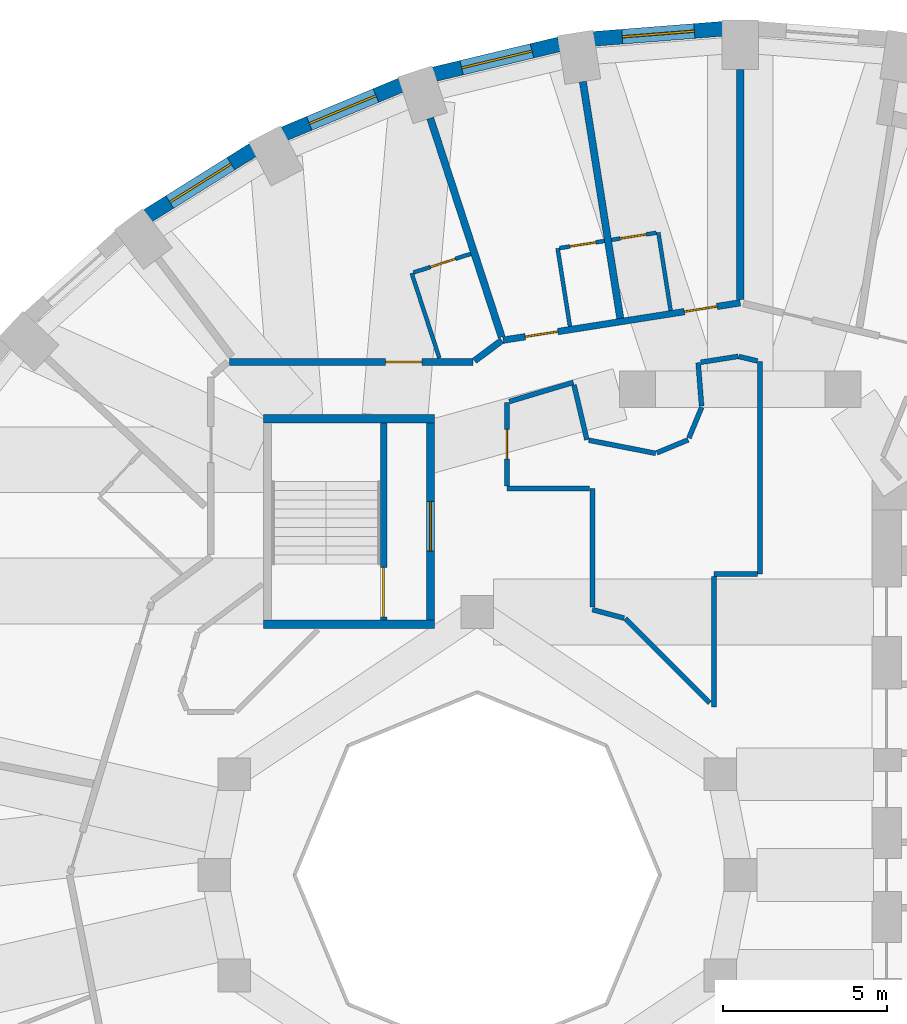
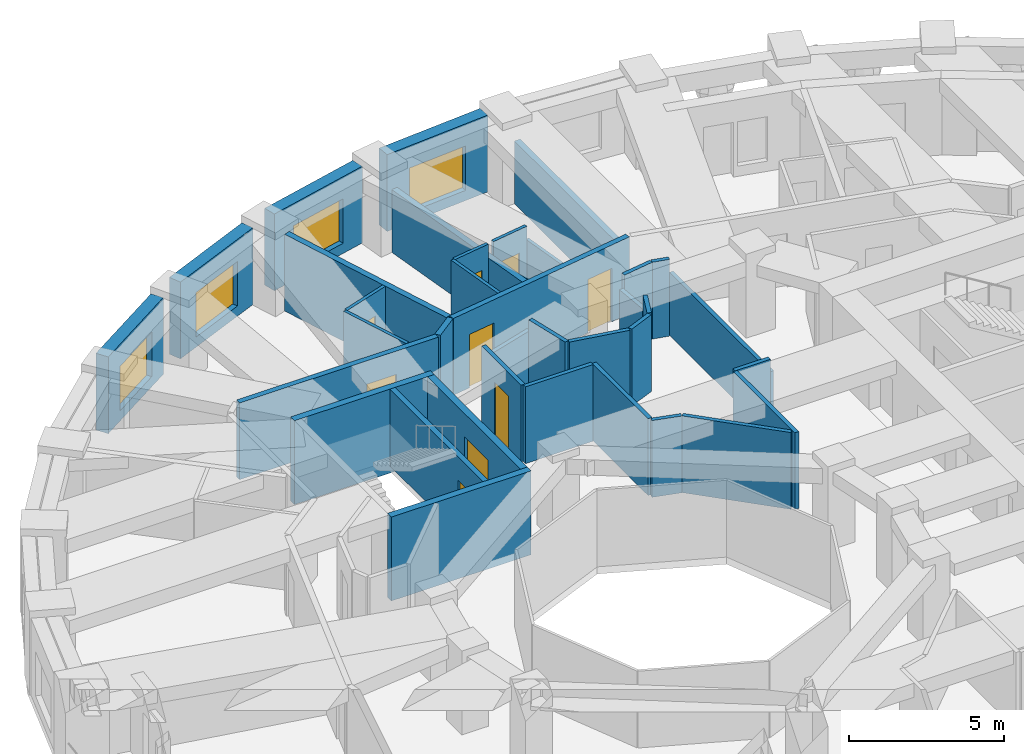
# One storey, part 8 of 14: 36 walls, 9 doors, 4 windows, 13 openings.
"""IFC4 building model written with IfcOpenShell, lengths in metres."""

from ifc_helpers import new_model, si_unit, direction, frame, frame_2d, origin, place, context, subcontext, project, spatial, rectangle, extrude, material, layer, layer_set, type_object, element, fill, save


model = new_model("IFC4")

# Units and contexts
model_context = context("Model", 3, precision=1e-05, world=origin(), true_north=direction((0.0, 1.0)))
body_context = subcontext(model_context, "Body", "Model", "MODEL_VIEW")
ifc_project = project(units=[si_unit("LENGTHUNIT", "METRE"), si_unit("AREAUNIT", "SQUARE_METRE"), si_unit("VOLUMEUNIT", "CUBIC_METRE"), si_unit("PLANEANGLEUNIT", "RADIAN"), si_unit("MASSUNIT", "GRAM", prefix="KILO")], contexts=[model_context])

# Site, building, storey
site_placement = place(None, origin())
site = spatial("IfcSite", under=ifc_project, at=site_placement, CompositionType="ELEMENT")
building_placement = place(site_placement, origin())
building = spatial("IfcBuilding", under=site, at=building_placement, Name="Taillehof Tower", CompositionType="ELEMENT")
storey_placement = place(building_placement, frame((0.0, 0.0, 28.300048828125)))
storey = spatial("IfcBuildingStorey", under=building, at=storey_placement, Name="L06", CompositionType="ELEMENT", Elevation=28.300048828125)

# Wall, opening, window
ifc_material_1 = material(Name="Brick masonry", Category="masonry")
ifc_layer_1 = layer(ifc_material_1, 0.449951171875)
ifc_layer_set_1 = layer_set([ifc_layer_1], Name="Brick infill wall 450")
wall_type_1 = type_object("IfcWallType", Name="Brick infill wall 450", PredefinedType="SOLIDWALL", material=ifc_layer_set_1)
wall_1_placement = place(storey_placement, frame((-0.530029296875, 25.73291015625, 0.0), z_axis=(0.0, 0.0, 1.0), x_axis=(-0.996955972145, -0.077966592873, 0.0)))
wall_1 = element("IfcWall", 1, at=wall_1_placement, inside=storey, type_object=wall_type_1, Name="Brick wall L06 bay 10", PredefinedType="SOLIDWALL", context=body_context, shape_type="SweptSolid", body=[
    extrude(rectangle(XDim=3.939208984375, YDim=0.449951171875, at=frame_2d((1.9697265625, 0.0))), origin(), (0.0, 0.0, 1.0), 3.02001953125),
])
opening_1_placement = place(wall_1_placement, frame((0.86962890625, 0.0, 0.39990234375)))
opening_1 = element("IfcOpeningElement", 2, at=opening_1_placement, cuts=wall_1, Name="Opening W1", PredefinedType="OPENING", context=body_context, shape_type="SweptSolid", body=[
    extrude(rectangle(XDim=2.199951171875, YDim=1.75, at=frame_2d((1.10009765625, 0.875))), frame((0.0, 0.23486328125, 0.0), z_axis=(0.0, -1.0, 0.0), x_axis=(1.0, 0.0, 0.0)), (0.0, 0.0, 1.0), 0.469970703125),
])
ifc_material_2 = material(Name="Aluminium window frame with clear double glazing", Category="aluminium")
window_type = type_object("IfcWindowType", Name="Deep-set window 2200x1750", PartitioningType="SINGLE_PANEL", PredefinedType="WINDOW", material=ifc_material_2)
window_1_placement = place(opening_1_placement, origin())
window_1 = element("IfcWindow", 3, at=window_1_placement, inside=storey, type_object=window_type, Name="W1", OverallHeight=1.75, OverallWidth=2.199951171875, PartitioningType="SINGLE_PANEL", PredefinedType="WINDOW", context=body_context, shape_type="SweptSolid", body=[
    extrude(rectangle(XDim=2.199951171875, YDim=1.75, at=frame_2d((1.10009765625, 0.875))), frame((0.0, 0.034912109375, 0.0), z_axis=(0.0, -1.0, 0.0), x_axis=(1.0, 0.0, 0.0)), (0.0, 0.0, 1.0), 0.06005859375),
])
fill(opening_1, window_1)

wall_2_placement = place(storey_placement, frame((-5.50439453125, 25.260498046875, 0.0), z_axis=(0.0, 0.0, 1.0), x_axis=(-0.972496561493, -0.232917233979, 0.0)))
wall_2 = element("IfcWall", 4, at=wall_2_placement, inside=storey, type_object=wall_type_1, Name="Brick wall L06 bay 11", PredefinedType="SOLIDWALL", context=body_context, shape_type="SweptSolid", body=[
    extrude(rectangle(XDim=3.910888671875, YDim=0.449951171875, at=frame_2d((1.95556640625, 0.0))), origin(), (0.0, 0.0, 1.0), 3.02001953125),
])
opening_2_placement = place(wall_2_placement, frame((0.855224609375, 0.0, 0.39990234375)))
opening_2 = element("IfcOpeningElement", 5, at=opening_2_placement, cuts=wall_2, Name="Opening W1", PredefinedType="OPENING", context=body_context, shape_type="SweptSolid", body=[
    extrude(rectangle(XDim=2.199951171875, YDim=1.75, at=frame_2d((1.10009765625, 0.875))), frame((0.0, 0.23486328125, 0.0), z_axis=(0.0, -1.0, 0.0), x_axis=(1.0, 0.0, 0.0)), (0.0, 0.0, 1.0), 0.469970703125),
])
window_2_placement = place(opening_2_placement, origin())
window_2 = element("IfcWindow", 6, at=window_2_placement, inside=storey, type_object=window_type, Name="W1", OverallHeight=1.75, OverallWidth=2.199951171875, PartitioningType="SINGLE_PANEL", PredefinedType="WINDOW", context=body_context, shape_type="SweptSolid", body=[
    extrude(rectangle(XDim=2.199951171875, YDim=1.75, at=frame_2d((1.10009765625, 0.875))), frame((0.0, 0.034912109375, 0.0), z_axis=(0.0, -1.0, 0.0), x_axis=(1.0, 0.0, 0.0)), (0.0, 0.0, 1.0), 0.06005859375),
])
fill(opening_2, window_2)

wall_3_placement = place(storey_placement, frame((-10.3154296875, 24.02099609375, 0.0), z_axis=(0.0, 0.0, 1.0), x_axis=(-0.923031964282, -0.384723267966, 0.0)))
wall_3 = element("IfcWall", 7, at=wall_3_placement, inside=storey, type_object=wall_type_1, Name="Brick wall L06 bay 12", PredefinedType="SOLIDWALL", context=body_context, shape_type="SweptSolid", body=[
    extrude(rectangle(XDim=3.8564453125, YDim=0.449951171875, at=frame_2d((1.92822265625, 0.0))), origin(), (0.0, 0.0, 1.0), 3.02001953125),
])
opening_3_placement = place(wall_3_placement, frame((0.828125, 0.0, 0.39990234375)))
opening_3 = element("IfcOpeningElement", 8, at=opening_3_placement, cuts=wall_3, Name="Opening W1", PredefinedType="OPENING", context=body_context, shape_type="SweptSolid", body=[
    extrude(rectangle(XDim=2.199951171875, YDim=1.75, at=frame_2d((1.10009765625, 0.875))), frame((0.0, 0.23486328125, 0.0), z_axis=(0.0, -1.0, 0.0), x_axis=(1.0, 0.0, 0.0)), (0.0, 0.0, 1.0), 0.469970703125),
])
window_3_placement = place(opening_3_placement, origin())
window_3 = element("IfcWindow", 9, at=window_3_placement, inside=storey, type_object=window_type, Name="W1", OverallHeight=1.75, OverallWidth=2.199951171875, PartitioningType="SINGLE_PANEL", PredefinedType="WINDOW", context=body_context, shape_type="SweptSolid", body=[
    extrude(rectangle(XDim=2.199951171875, YDim=1.75, at=frame_2d((1.10009765625, 0.875))), frame((0.0, 0.034912109375, 0.0), z_axis=(0.0, -1.0, 0.0), x_axis=(1.0, 0.0, 0.0)), (0.0, 0.0, 1.0), 0.06005859375),
])
fill(opening_3, window_3)

wall_4_placement = place(storey_placement, frame((-14.81689453125, 22.050537109375, 0.0), z_axis=(0.0, 0.0, 1.0), x_axis=(-0.847635480093, -0.530579016629, 0.0)))
wall_4 = element("IfcWall", 10, at=wall_4_placement, inside=storey, type_object=wall_type_1, Name="Brick wall L06 bay 13", PredefinedType="SOLIDWALL", context=body_context, shape_type="SweptSolid", body=[
    extrude(rectangle(XDim=3.782470703125, YDim=0.449951171875, at=frame_2d((1.89111328125, 0.0))), origin(), (0.0, 0.0, 1.0), 3.02001953125),
])
opening_4_placement = place(wall_4_placement, frame((0.791259765625, 0.0, 0.39990234375)))
opening_4 = element("IfcOpeningElement", 11, at=opening_4_placement, cuts=wall_4, Name="Opening W1", PredefinedType="OPENING", context=body_context, shape_type="SweptSolid", body=[
    extrude(rectangle(XDim=2.199951171875, YDim=1.75, at=frame_2d((1.10009765625, 0.875))), frame((0.0, 0.23486328125, 0.0), z_axis=(0.0, -1.0, 0.0), x_axis=(1.0, 0.0, 0.0)), (0.0, 0.0, 1.0), 0.469970703125),
])
window_4_placement = place(opening_4_placement, origin())
window_4 = element("IfcWindow", 12, at=window_4_placement, inside=storey, type_object=window_type, Name="W1", OverallHeight=1.75, OverallWidth=2.199951171875, PartitioningType="SINGLE_PANEL", PredefinedType="WINDOW", context=body_context, shape_type="SweptSolid", body=[
    extrude(rectangle(XDim=2.199951171875, YDim=1.75, at=frame_2d((1.10009765625, 0.875))), frame((0.0, 0.034912109375, 0.0), z_axis=(0.0, -1.0, 0.0), x_axis=(1.0, 0.0, 0.0)), (0.0, 0.0, 1.0), 0.06005859375),
])
fill(opening_4, window_4)

# Wall, opening, door
ifc_material_3 = material(Name="Gypsum board on steel studs, two layers each side", Category="steel")
ifc_layer_2 = layer(ifc_material_3, 0.199951171875)
ifc_layer_set_2 = layer_set([ifc_layer_2], Name="Compartment wall corridor 200")
wall_type_2 = type_object("IfcWallType", Name="Compartment wall corridor 200", PredefinedType="PARTITIONING", material=ifc_layer_set_2)
wall_5_placement = place(storey_placement, frame((-15.531494140625, 15.60009765625, 0.0), z_axis=(0.0, 0.0, 1.0), x_axis=(1.0, 0.0, 0.0)))
wall_5 = element("IfcWall", 13, at=wall_5_placement, inside=storey, type_object=wall_type_2, Name="Compartment wall", PredefinedType="PARTITIONING", context=body_context, shape_type="SweptSolid", body=[
    extrude(rectangle(XDim=7.39892578125, YDim=0.199951171875, at=frame_2d((3.699462890625, 0.0))), origin(), (0.0, 0.0, 1.0), 3.02001953125),
])
opening_5_placement = place(wall_5_placement, frame((4.74658203125, 0.0, 0.0)))
opening_5 = element("IfcOpeningElement", 14, at=opening_5_placement, cuts=wall_5, Name="Opening D0649", PredefinedType="OPENING", context=body_context, shape_type="SweptSolid", body=[
    extrude(rectangle(XDim=1.10009765625, YDim=2.10009765625, at=frame_2d((0.550048828125, 1.050048828125))), frame((0.0, 0.10986328125, 0.0), z_axis=(0.0, -1.0, 0.0), x_axis=(1.0, 0.0, 0.0)), (0.0, 0.0, 1.0), 0.219970703125),
])
ifc_material_4 = material(Name="Timber door leaf in steel frame", Category="steel")
door_type_1 = type_object("IfcDoorType", Name="Suite entrance door EI 30 1100 x 2100", OperationType="SINGLE_SWING_LEFT", PredefinedType="DOOR", material=ifc_material_4)
door_1_placement = place(opening_5_placement, origin())
door_1 = element("IfcDoor", 15, at=door_1_placement, inside=storey, type_object=door_type_1, Name="D0649", OperationType="SINGLE_SWING_RIGHT", OverallHeight=2.10009765625, OverallWidth=1.10009765625, PredefinedType="DOOR", context=body_context, shape_type="SweptSolid", body=[
    extrude(rectangle(XDim=1.10009765625, YDim=2.10009765625, at=frame_2d((0.550048828125, 1.050048828125))), frame((0.0, 0.02490234375, 0.0), z_axis=(0.0, -1.0, 0.0), x_axis=(1.0, 0.0, 0.0)), (0.0, 0.0, 1.0), 0.050048828125),
])
fill(opening_5, door_1)

# Wall
wall_6_placement = place(storey_placement, frame((-8.084228515625, 15.635986328125, 0.0), z_axis=(0.0, 0.0, 1.0), x_axis=(0.802193962144, 0.597063520155, 0.0)))
element("IfcWall", 16, at=wall_6_placement, inside=storey, type_object=wall_type_2, Name="Compartment wall", PredefinedType="PARTITIONING", context=body_context, shape_type="SweptSolid", body=[
    extrude(rectangle(XDim=1.0390625, YDim=0.199951171875, at=frame_2d((0.51953125, 0.0))), origin(), (0.0, 0.0, 1.0), 3.02001953125),
])

# Wall, openings, doors
wall_7_placement = place(storey_placement, frame((-7.211181640625, 16.2626953125, 0.0), z_axis=(0.0, 0.0, 1.0), x_axis=(0.987792503573, 0.155775382796, 0.0)))
wall_7 = element("IfcWall", 17, at=wall_7_placement, inside=storey, type_object=wall_type_2, Name="Compartment wall", PredefinedType="PARTITIONING", context=body_context, shape_type="SweptSolid", body=[
    extrude(rectangle(XDim=7.30029296875, YDim=0.199951171875, at=frame_2d((3.650146484375, 0.0))), origin(), (0.0, 0.0, 1.0), 3.02001953125),
])
opening_6_placement = place(wall_7_placement, frame((5.58056640625, 0.0, 0.0)))
opening_6 = element("IfcOpeningElement", 18, at=opening_6_placement, cuts=wall_7, Name="Opening D0645", PredefinedType="OPENING", context=body_context, shape_type="SweptSolid", body=[
    extrude(rectangle(XDim=1.0, YDim=2.10009765625, at=frame_2d((0.5, 1.050048828125))), frame((0.0, 0.10986328125, 0.0), z_axis=(0.0, -1.0, 0.0), x_axis=(1.0, 0.0, 0.0)), (0.0, 0.0, 1.0), 0.219970703125),
])
opening_7_placement = place(wall_7_placement, frame((0.680419921875, 0.0, 0.0)))
opening_7 = element("IfcOpeningElement", 19, at=opening_7_placement, cuts=wall_7, Name="Opening D0647", PredefinedType="OPENING", context=body_context, shape_type="SweptSolid", body=[
    extrude(rectangle(XDim=1.0, YDim=2.10009765625, at=frame_2d((0.5, 1.050048828125))), frame((0.0, 0.10986328125, 0.0), z_axis=(0.0, -1.0, 0.0), x_axis=(1.0, 0.0, 0.0)), (0.0, 0.0, 1.0), 0.219970703125),
])
ifc_material_5 = material(Name="Timber door leaf in steel frame", Category="steel")
door_type_2 = type_object("IfcDoorType", Name="Guest room door EI 30 1000 x 2100", OperationType="SINGLE_SWING_LEFT", PredefinedType="DOOR", material=ifc_material_5)
door_2_placement = place(opening_6_placement, origin())
door_2 = element("IfcDoor", 20, at=door_2_placement, inside=storey, type_object=door_type_2, Name="D0645", OperationType="SINGLE_SWING_LEFT", OverallHeight=2.10009765625, OverallWidth=1.0, PredefinedType="DOOR", context=body_context, shape_type="SweptSolid", body=[
    extrude(rectangle(XDim=1.0, YDim=2.10009765625, at=frame_2d((0.5, 1.050048828125))), frame((0.0, 0.02490234375, 0.0), z_axis=(0.0, -1.0, 0.0), x_axis=(1.0, 0.0, 0.0)), (0.0, 0.0, 1.0), 0.050048828125),
])
fill(opening_6, door_2)
door_3_placement = place(opening_7_placement, origin())
door_3 = element("IfcDoor", 21, at=door_3_placement, inside=storey, type_object=door_type_2, Name="D0647", OperationType="SINGLE_SWING_RIGHT", OverallHeight=2.10009765625, OverallWidth=1.0, PredefinedType="DOOR", context=body_context, shape_type="SweptSolid", body=[
    extrude(rectangle(XDim=1.0, YDim=2.10009765625, at=frame_2d((0.5, 1.050048828125))), frame((0.0, 0.02490234375, 0.0), z_axis=(0.0, -1.0, 0.0), x_axis=(1.0, 0.0, 0.0)), (0.0, 0.0, 1.0), 0.050048828125),
])
fill(opening_7, door_3)

# Walls
ifc_material_6 = material(Name="Gypsum board on double steel studs with mineral wool", Category="steel")
ifc_layer_3 = layer(ifc_material_6, 0.219970703125)
ifc_layer_set_3 = layer_set([ifc_layer_3], Name="Compartment wall guest room 220")
wall_type_3 = type_object("IfcWallType", Name="Compartment wall guest room 220", PredefinedType="PARTITIONING", material=ifc_layer_set_3)
wall_8_placement = place(storey_placement, frame((0.0, 24.5, 0.0), z_axis=(0.0, 0.0, 1.0), x_axis=(0.0, -1.0, 0.0)))
element("IfcWall", 22, at=wall_8_placement, inside=storey, type_object=wall_type_3, Name="Compartment wall", PredefinedType="PARTITIONING", context=body_context, shape_type="SweptSolid", body=[
    extrude(rectangle(XDim=7.0, YDim=0.219970703125, at=frame_2d((3.5, 0.0))), origin(), (0.0, 0.0, 1.0), 2.469970703125),
])
wall_9_placement = place(storey_placement, frame((-4.788330078125, 24.12548828125, 0.0), z_axis=(0.0, 0.0, 1.0), x_axis=(0.156143160107, -0.98773443473, 0.0)))
element("IfcWall", 23, at=wall_9_placement, inside=storey, type_object=wall_type_3, Name="Compartment wall", PredefinedType="PARTITIONING", context=body_context, shape_type="SweptSolid", body=[
    extrude(rectangle(XDim=7.289306640625, YDim=0.219970703125, at=frame_2d((3.64453125, 0.0))), origin(), (0.0, 0.0, 1.0), 2.469970703125),
])
wall_10_placement = place(storey_placement, frame((-9.429443359375, 23.01416015625, 0.0), z_axis=(0.0, 0.0, 1.0), x_axis=(0.310239117306, -0.950658555998, 0.0)))
element("IfcWall", 24, at=wall_10_placement, inside=storey, type_object=wall_type_3, Name="Compartment wall", PredefinedType="PARTITIONING", context=body_context, shape_type="SweptSolid", body=[
    extrude(rectangle(XDim=7.0029296875, YDim=0.219970703125, at=frame_2d((3.50146484375, 0.0))), origin(), (0.0, 0.0, 1.0), 3.02001953125),
])
ifc_material_7 = material(Name="Gypsum board on steel studs, two layers each side", Category="steel")
ifc_layer_4 = layer(ifc_material_7, 0.14990234375)
ifc_layer_set_4 = layer_set([ifc_layer_4], Name="Compartment wall service room 150")
wall_type_4 = type_object("IfcWallType", Name="Compartment wall service room 150", PredefinedType="PARTITIONING", material=ifc_layer_set_4)
wall_11_placement = place(storey_placement, frame((0.60009765625, 15.611572265625, 0.0), z_axis=(0.0, 0.0, 1.0), x_axis=(0.0, -1.0, 0.0)))
element("IfcWall", 25, at=wall_11_placement, inside=storey, type_object=wall_type_4, Name="Compartment wall", PredefinedType="PARTITIONING", context=body_context, shape_type="SweptSolid", body=[
    extrude(rectangle(XDim=6.461669921875, YDim=0.14990234375, at=frame_2d((3.23095703125, 0.0))), origin(), (0.0, 0.0, 1.0), 2.469970703125),
])
wall_12_placement = place(storey_placement, frame((0.52001953125, 9.14990234375, 0.0), z_axis=(0.0, 0.0, 1.0), x_axis=(-1.0, 0.0, 0.0)))
element("IfcWall", 26, at=wall_12_placement, inside=storey, type_object=wall_type_4, Name="Compartment wall", PredefinedType="PARTITIONING", context=body_context, shape_type="SweptSolid", body=[
    extrude(rectangle(XDim=1.320068359375, YDim=0.14990234375, at=frame_2d((0.66015625, 0.0))), origin(), (0.0, 0.0, 1.0), 3.02001953125),
])
wall_13_placement = place(storey_placement, frame((-0.800048828125, 9.06982421875, 0.0), z_axis=(0.0, 0.0, 1.0), x_axis=(0.0, -1.0, 0.0)))
element("IfcWall", 27, at=wall_13_placement, inside=storey, type_object=wall_type_4, Name="Compartment wall", PredefinedType="PARTITIONING", context=body_context, shape_type="SweptSolid", body=[
    extrude(rectangle(XDim=3.966064453125, YDim=0.14990234375, at=frame_2d((1.98291015625, 0.0))), origin(), (0.0, 0.0, 1.0), 3.02001953125),
])
wall_14_placement = place(storey_placement, frame((-0.927490234375, 5.231201171875, 0.0), z_axis=(0.0, 0.0, 1.0), x_axis=(-0.707106781187, 0.707106781187, 0.0)))
element("IfcWall", 28, at=wall_14_placement, inside=storey, type_object=wall_type_4, Name="Compartment wall", PredefinedType="PARTITIONING", context=body_context, shape_type="SweptSolid", body=[
    extrude(rectangle(XDim=3.63330078125, YDim=0.14990234375, at=frame_2d((1.816650390625, 0.0))), origin(), (0.0, 0.0, 1.0), 3.02001953125),
])
wall_15_placement = place(storey_placement, frame((-3.53515625, 7.810546875, 0.0), z_axis=(0.0, 0.0, 1.0), x_axis=(-0.965921867197, 0.258833820183, 0.0)))
element("IfcWall", 29, at=wall_15_placement, inside=storey, type_object=wall_type_4, Name="Compartment wall", PredefinedType="PARTITIONING", context=body_context, shape_type="SweptSolid", body=[
    extrude(rectangle(XDim=0.998779296875, YDim=0.14990234375, at=frame_2d((0.49951171875, 0.0))), origin(), (0.0, 0.0, 1.0), 3.02001953125),
])
wall_16_placement = place(storey_placement, frame((-4.5, 8.149169921875, 0.0), z_axis=(0.0, 0.0, 1.0), x_axis=(0.0, 1.0, 0.0)))
element("IfcWall", 30, at=wall_16_placement, inside=storey, type_object=wall_type_4, Name="Compartment wall", PredefinedType="PARTITIONING", context=body_context, shape_type="SweptSolid", body=[
    extrude(rectangle(XDim=3.600830078125, YDim=0.14990234375, at=frame_2d((1.80029296875, 0.0))), origin(), (0.0, 0.0, 1.0), 3.02001953125),
])
wall_17_placement = place(storey_placement, frame((-4.580078125, 11.75, 0.0), z_axis=(0.0, 0.0, 1.0), x_axis=(-1.0, 0.0, 0.0)))
element("IfcWall", 31, at=wall_17_placement, inside=storey, type_object=wall_type_4, Name="Compartment wall", PredefinedType="PARTITIONING", context=body_context, shape_type="SweptSolid", body=[
    extrude(rectangle(XDim=2.52001953125, YDim=0.14990234375, at=frame_2d((1.260009765625, 0.0))), origin(), (0.0, 0.0, 1.0), 3.02001953125),
])

# Wall, opening, door
wall_18_placement = place(storey_placement, frame((-7.10009765625, 11.830078125, 0.0), z_axis=(0.0, 0.0, 1.0), x_axis=(0.0, 1.0, 0.0)))
wall_18 = element("IfcWall", 32, at=wall_18_placement, inside=storey, type_object=wall_type_4, Name="Compartment wall", PredefinedType="PARTITIONING", context=body_context, shape_type="SweptSolid", body=[
    extrude(rectangle(XDim=2.5439453125, YDim=0.14990234375, at=frame_2d((1.27197265625, 0.0))), origin(), (0.0, 0.0, 1.0), 3.02001953125),
])
opening_8_placement = place(wall_18_placement, frame((0.822021484375, 0.0, 0.0)))
opening_8 = element("IfcOpeningElement", 33, at=opening_8_placement, cuts=wall_18, Name="Opening D0673", PredefinedType="OPENING", context=body_context, shape_type="SweptSolid", body=[
    extrude(rectangle(XDim=0.89990234375, YDim=2.10009765625, at=frame_2d((0.449951171875, 1.050048828125))), frame((0.0, 0.0849609375, 0.0), z_axis=(0.0, -1.0, 0.0), x_axis=(1.0, 0.0, 0.0)), (0.0, 0.0, 1.0), 0.169921875),
])
ifc_material_8 = material(Name="Timber door leaf in steel frame", Category="steel")
door_type_3 = type_object("IfcDoorType", Name="Service room door EI 30 900 x 2100", OperationType="SINGLE_SWING_LEFT", PredefinedType="DOOR", material=ifc_material_8)
door_4_placement = place(opening_8_placement, origin())
door_4 = element("IfcDoor", 34, at=door_4_placement, inside=storey, type_object=door_type_3, Name="D0673", OperationType="SINGLE_SWING_LEFT", OverallHeight=2.10009765625, OverallWidth=0.89990234375, PredefinedType="DOOR", context=body_context, shape_type="SweptSolid", body=[
    extrude(rectangle(XDim=0.89990234375, YDim=2.10009765625, at=frame_2d((0.449951171875, 1.050048828125))), frame((0.0, 0.02490234375, 0.0), z_axis=(0.0, -1.0, 0.0), x_axis=(1.0, 0.0, 0.0)), (0.0, 0.0, 1.0), 0.050048828125),
])
fill(opening_8, door_4)

# Walls
wall_19_placement = place(storey_placement, frame((-7.02392578125, 14.396484375, 0.0), z_axis=(0.0, 0.0, 1.0), x_axis=(0.958024310194, 0.286686974028, 0.0)))
element("IfcWall", 35, at=wall_19_placement, inside=storey, type_object=wall_type_4, Name="Compartment wall", PredefinedType="PARTITIONING", context=body_context, shape_type="SweptSolid", body=[
    extrude(rectangle(XDim=2.03369140625, YDim=0.14990234375, at=frame_2d((1.016845703125, 0.0))), origin(), (0.0, 0.0, 1.0), 2.570068359375),
])
wall_20_placement = place(storey_placement, frame((-5.05712890625, 14.9013671875, 0.0), z_axis=(0.0, 0.0, 1.0), x_axis=(0.228269361027, -0.973598017056, 0.0)))
element("IfcWall", 36, at=wall_20_placement, inside=storey, type_object=wall_type_4, Name="Compartment wall", PredefinedType="PARTITIONING", context=body_context, shape_type="SweptSolid", body=[
    extrude(rectangle(XDim=1.71435546875, YDim=0.14990234375, at=frame_2d((0.857177734375, 0.0))), origin(), (0.0, 0.0, 1.0), 3.02001953125),
])
wall_21_placement = place(storey_placement, frame((-4.607177734375, 13.220458984375, 0.0), z_axis=(0.0, 0.0, 1.0), x_axis=(0.981304142817, -0.192463449234, 0.0)))
element("IfcWall", 37, at=wall_21_placement, inside=storey, type_object=wall_type_4, Name="Compartment wall", PredefinedType="PARTITIONING", context=body_context, shape_type="SweptSolid", body=[
    extrude(rectangle(XDim=2.0703125, YDim=0.14990234375, at=frame_2d((1.03515625, 0.0))), origin(), (0.0, 0.0, 1.0), 3.02001953125),
])
wall_22_placement = place(storey_placement, frame((-2.53857421875, 12.837158203125, 0.0), z_axis=(0.0, 0.0, 1.0), x_axis=(0.923768662954, 0.382950985565, 0.0)))
element("IfcWall", 38, at=wall_22_placement, inside=storey, type_object=wall_type_4, Name="Compartment wall", PredefinedType="PARTITIONING", context=body_context, shape_type="SweptSolid", body=[
    extrude(rectangle(XDim=1.031494140625, YDim=0.14990234375, at=frame_2d((0.515625, 0.0))), origin(), (0.0, 0.0, 1.0), 3.02001953125),
])
wall_23_placement = place(storey_placement, frame((-1.56298828125, 13.287841796875, 0.0), z_axis=(0.0, 0.0, 1.0), x_axis=(0.38284922736, 0.923810840546, 0.0)))
element("IfcWall", 39, at=wall_23_placement, inside=storey, type_object=wall_type_4, Name="Compartment wall", PredefinedType="PARTITIONING", context=body_context, shape_type="SweptSolid", body=[
    extrude(rectangle(XDim=1.011474609375, YDim=0.14990234375, at=frame_2d((0.505859375, 0.0))), origin(), (0.0, 0.0, 1.0), 3.02001953125),
])
wall_24_placement = place(storey_placement, frame((-1.1787109375, 14.26220703125, 0.0), z_axis=(0.0, 0.0, 1.0), x_axis=(-0.078054271799, 0.996949111366, 0.0)))
element("IfcWall", 40, at=wall_24_placement, inside=storey, type_object=wall_type_4, Name="Compartment wall", PredefinedType="PARTITIONING", context=body_context, shape_type="SweptSolid", body=[
    extrude(rectangle(XDim=1.31982421875, YDim=0.14990234375, at=frame_2d((0.659912109375, 0.0))), origin(), (0.0, 0.0, 1.0), 2.469970703125),
])
wall_25_placement = place(storey_placement, frame((-1.20263671875, 15.5908203125, 0.0), z_axis=(0.0, 0.0, 1.0), x_axis=(0.987814418255, 0.155636355288, 0.0)))
element("IfcWall", 41, at=wall_25_placement, inside=storey, type_object=wall_type_4, Name="Compartment wall", PredefinedType="PARTITIONING", context=body_context, shape_type="SweptSolid", body=[
    extrude(rectangle(XDim=1.153076171875, YDim=0.14990234375, at=frame_2d((0.57666015625, 0.0))), origin(), (0.0, 0.0, 1.0), 3.02001953125),
])
wall_26_placement = place(storey_placement, frame((-0.044189453125, 15.765625, 0.0), z_axis=(0.0, 0.0, 1.0), x_axis=(0.972535568527, -0.232754308121, 0.0)))
element("IfcWall", 42, at=wall_26_placement, inside=storey, type_object=wall_type_4, Name="Compartment wall", PredefinedType="PARTITIONING", context=body_context, shape_type="SweptSolid", body=[
    extrude(rectangle(XDim=0.58203125, YDim=0.14990234375, at=frame_2d((0.291015625, 0.0))), origin(), (0.0, 0.0, 1.0), 3.02001953125),
])
ifc_material_9 = material(Name="Gypsum board on steel studs, moisture resistant", Category="steel")
ifc_layer_5 = layer(ifc_material_9, 0.1201171875)
ifc_layer_set_5 = layer_set([ifc_layer_5], Name="En-suite wall 120")
wall_type_5 = type_object("IfcWallType", Name="En-suite wall 120", PredefinedType="PARTITIONING", material=ifc_layer_set_5)
wall_27_placement = place(storey_placement, frame((-2.119140625, 17.1669921875, 0.0), z_axis=(0.0, 0.0, 1.0), x_axis=(-0.156114026572, 0.987739039781, 0.0)))
element("IfcWall", 43, at=wall_27_placement, inside=storey, type_object=wall_type_5, Name="En-suite wall", PredefinedType="PARTITIONING", context=body_context, shape_type="SweptSolid", body=[
    extrude(rectangle(XDim=2.400634765625, YDim=0.1201171875, at=frame_2d((1.2001953125, 0.0))), origin(), (0.0, 0.0, 1.0), 2.469970703125),
])
wall_28_placement = place(storey_placement, frame((-5.181396484375, 16.683837890625, 0.0), z_axis=(0.0, 0.0, 1.0), x_axis=(-0.156077517275, 0.987744809453, 0.0)))
element("IfcWall", 44, at=wall_28_placement, inside=storey, type_object=wall_type_5, Name="En-suite wall", PredefinedType="PARTITIONING", context=body_context, shape_type="SweptSolid", body=[
    extrude(rectangle(XDim=2.3994140625, YDim=0.1201171875, at=frame_2d((1.19970703125, 0.0))), origin(), (0.0, 0.0, 1.0), 3.02001953125),
])
wall_29_placement = place(storey_placement, frame((-9.152587890625, 15.71923828125, 0.0), z_axis=(0.0, 0.0, 1.0), x_axis=(-0.310236037509, 0.950659561058, 0.0)))
element("IfcWall", 45, at=wall_29_placement, inside=storey, type_object=wall_type_5, Name="En-suite wall", PredefinedType="PARTITIONING", context=body_context, shape_type="SweptSolid", body=[
    extrude(rectangle(XDim=2.716552734375, YDim=0.1201171875, at=frame_2d((1.3583984375, 0.0))), origin(), (0.0, 0.0, 1.0), 3.02001953125),
])

# Wall, opening, door
wall_30_placement = place(storey_placement, frame((-2.55322265625, 19.528564453125, 0.0), z_axis=(0.0, 0.0, 1.0), x_axis=(-0.987750051492, -0.15604433914, 0.0)))
wall_30 = element("IfcWall", 46, at=wall_30_placement, inside=storey, type_object=wall_type_5, Name="En-suite wall", PredefinedType="PARTITIONING", context=body_context, shape_type="SweptSolid", body=[
    extrude(rectangle(XDim=1.3798828125, YDim=0.1201171875, at=frame_2d((0.68994140625, 0.0))), origin(), (0.0, 0.0, 1.0), 3.02001953125),
])
opening_9_placement = place(wall_30_placement, frame((0.31494140625, 0.0, 0.0)))
opening_9 = element("IfcOpeningElement", 47, at=opening_9_placement, cuts=wall_30, Name="Opening D0646", PredefinedType="OPENING", context=body_context, shape_type="SweptSolid", body=[
    extrude(rectangle(XDim=0.800048828125, YDim=2.10009765625, at=frame_2d((0.39990234375, 1.050048828125))), frame((0.0, 0.070068359375, 0.0), z_axis=(0.0, -1.0, 0.0), x_axis=(1.0, 0.0, 0.0)), (0.0, 0.0, 1.0), 0.14013671875),
])
ifc_material_10 = material(Name="Timber door leaf in steel frame", Category="steel")
door_type_4 = type_object("IfcDoorType", Name="En-suite door 800 x 2100", OperationType="SINGLE_SWING_LEFT", PredefinedType="DOOR", material=ifc_material_10)
door_5_placement = place(opening_9_placement, origin())
door_5 = element("IfcDoor", 48, at=door_5_placement, inside=storey, type_object=door_type_4, Name="D0646", OperationType="SINGLE_SWING_LEFT", OverallHeight=2.10009765625, OverallWidth=0.800048828125, PredefinedType="DOOR", context=body_context, shape_type="SweptSolid", body=[
    extrude(rectangle(XDim=0.800048828125, YDim=2.10009765625, at=frame_2d((0.39990234375, 1.050048828125))), frame((0.0, 0.02490234375, 0.0), z_axis=(0.0, -1.0, 0.0), x_axis=(1.0, 0.0, 0.0)), (0.0, 0.0, 1.0), 0.050048828125),
])
fill(opening_9, door_5)

wall_31_placement = place(storey_placement, frame((-5.49658203125, 19.0634765625, 0.0), z_axis=(0.0, 0.0, 1.0), x_axis=(0.987722767831, 0.156216945011, 0.0)))
wall_31 = element("IfcWall", 49, at=wall_31_placement, inside=storey, type_object=wall_type_5, Name="En-suite wall", PredefinedType="PARTITIONING", context=body_context, shape_type="SweptSolid", body=[
    extrude(rectangle(XDim=1.3798828125, YDim=0.1201171875, at=frame_2d((0.68994140625, 0.0))), origin(), (0.0, 0.0, 1.0), 3.02001953125),
])
opening_10_placement = place(wall_31_placement, frame((0.31494140625, 0.0, 0.0)))
opening_10 = element("IfcOpeningElement", 50, at=opening_10_placement, cuts=wall_31, Name="Opening D0648", PredefinedType="OPENING", context=body_context, shape_type="SweptSolid", body=[
    extrude(rectangle(XDim=0.800048828125, YDim=2.10009765625, at=frame_2d((0.39990234375, 1.050048828125))), frame((0.0, 0.070068359375, 0.0), z_axis=(0.0, -1.0, 0.0), x_axis=(1.0, 0.0, 0.0)), (0.0, 0.0, 1.0), 0.14013671875),
])
door_6_placement = place(opening_10_placement, origin())
door_6 = element("IfcDoor", 51, at=door_6_placement, inside=storey, type_object=door_type_4, Name="D0648", OperationType="SINGLE_SWING_LEFT", OverallHeight=2.10009765625, OverallWidth=0.800048828125, PredefinedType="DOOR", context=body_context, shape_type="SweptSolid", body=[
    extrude(rectangle(XDim=0.800048828125, YDim=2.10009765625, at=frame_2d((0.39990234375, 1.050048828125))), frame((0.0, 0.02490234375, 0.0), z_axis=(0.0, -1.0, 0.0), x_axis=(1.0, 0.0, 0.0)), (0.0, 0.0, 1.0), 0.050048828125),
])
fill(opening_10, door_6)

wall_32_placement = place(storey_placement, frame((-9.938232421875, 18.3203125, 0.0), z_axis=(0.0, 0.0, 1.0), x_axis=(0.950678536911, 0.31017788357, 0.0)))
wall_32 = element("IfcWall", 52, at=wall_32_placement, inside=storey, type_object=wall_type_5, Name="En-suite wall", PredefinedType="PARTITIONING", context=body_context, shape_type="SweptSolid", body=[
    extrude(rectangle(XDim=1.830078125, YDim=0.1201171875, at=frame_2d((0.9150390625, 0.0))), origin(), (0.0, 0.0, 1.0), 3.02001953125),
])
opening_11_placement = place(wall_32_placement, frame((0.539794921875, 0.0, 0.0)))
opening_11 = element("IfcOpeningElement", 53, at=opening_11_placement, cuts=wall_32, Name="Opening D0650", PredefinedType="OPENING", context=body_context, shape_type="SweptSolid", body=[
    extrude(rectangle(XDim=0.800048828125, YDim=2.10009765625, at=frame_2d((0.39990234375, 1.050048828125))), frame((0.0, 0.070068359375, 0.0), z_axis=(0.0, -1.0, 0.0), x_axis=(1.0, 0.0, 0.0)), (0.0, 0.0, 1.0), 0.14013671875),
])
door_7_placement = place(opening_11_placement, origin())
door_7 = element("IfcDoor", 54, at=door_7_placement, inside=storey, type_object=door_type_4, Name="D0650", OperationType="SINGLE_SWING_LEFT", OverallHeight=2.10009765625, OverallWidth=0.800048828125, PredefinedType="DOOR", context=body_context, shape_type="SweptSolid", body=[
    extrude(rectangle(XDim=0.800048828125, YDim=2.10009765625, at=frame_2d((0.39990234375, 1.050048828125))), frame((0.0, 0.02490234375, 0.0), z_axis=(0.0, -1.0, 0.0), x_axis=(1.0, 0.0, 0.0)), (0.0, 0.0, 1.0), 0.050048828125),
])
fill(opening_11, door_7)

ifc_material_11 = material(Name="Concrete C50/60", Category="concrete")
ifc_layer_6 = layer(ifc_material_11, 0.199951171875)
ifc_layer_set_6 = layer_set([ifc_layer_6], Name="Shaft wall C50/60 200")
wall_type_6 = type_object("IfcWallType", Name="Shaft wall C50/60 200", PredefinedType="SHEAR", material=ifc_layer_set_6)
wall_33_placement = place(storey_placement, frame((-10.85009765625, 7.75, 0.0), z_axis=(0.0, 0.0, 1.0), x_axis=(0.0, 1.0, 0.0)))
wall_33 = element("IfcWall", 55, at=wall_33_placement, inside=storey, type_object=wall_type_6, Name="Shaft wall SW", PredefinedType="SHEAR", context=body_context, shape_type="SweptSolid", body=[
    extrude(rectangle(XDim=6.0, YDim=0.199951171875, at=frame_2d((3.0, 0.0))), origin(), (0.0, 0.0, 1.0), 3.02001953125),
])
opening_12_placement = place(wall_33_placement, frame((0.10009765625, 0.0, 0.0)))
opening_12 = element("IfcOpeningElement", 56, at=opening_12_placement, cuts=wall_33, Name="Opening D0612", PredefinedType="OPENING", context=body_context, shape_type="SweptSolid", body=[
    extrude(rectangle(XDim=1.5, YDim=2.10009765625, at=frame_2d((0.75, 1.050048828125))), frame((0.0, 0.10986328125, 0.0), z_axis=(0.0, -1.0, 0.0), x_axis=(1.0, 0.0, 0.0)), (0.0, 0.0, 1.0), 0.219970703125),
])
ifc_material_12 = material(Name="Steel-faced fire door", Category="steel")
door_type_5 = type_object("IfcDoorType", Name="Stair door 1500x2100", OperationType="DOUBLE_DOOR_SINGLE_SWING", PredefinedType="DOOR", material=ifc_material_12)
door_8_placement = place(opening_12_placement, origin())
door_8 = element("IfcDoor", 57, at=door_8_placement, inside=storey, type_object=door_type_5, Name="Stair lobby door S3", OperationType="DOUBLE_DOOR_SINGLE_SWING", OverallHeight=2.10009765625, OverallWidth=1.5, PredefinedType="DOOR", context=body_context, shape_type="SweptSolid", body=[
    extrude(rectangle(XDim=1.5, YDim=2.10009765625, at=frame_2d((0.75, 1.050048828125))), frame((0.0, 0.02490234375, 0.0), z_axis=(0.0, -1.0, 0.0), x_axis=(1.0, 0.0, 0.0)), (0.0, 0.0, 1.0), 0.050048828125),
])
fill(opening_12, door_8)

ifc_material_13 = material(Name="Concrete C50/60", Category="concrete")
ifc_layer_7 = layer(ifc_material_13, 0.25)
ifc_layer_set_7 = layer_set([ifc_layer_7], Name="Stair wall C50/60 250")
wall_type_7 = type_object("IfcWallType", Name="Stair wall C50/60 250", PredefinedType="SHEAR", material=ifc_layer_set_7)
wall_34_placement = place(storey_placement, frame((-9.425048828125, 7.75, -0.280029296875), z_axis=(0.0, 0.0, 1.0), x_axis=(0.0, 1.0, 0.0)))
wall_34 = element("IfcWall", 58, at=wall_34_placement, inside=storey, type_object=wall_type_7, Name="Stair wall SC", PredefinedType="SHEAR", context=body_context, shape_type="SweptSolid", body=[
    extrude(rectangle(XDim=6.0, YDim=0.25, at=frame_2d((3.0, 0.0))), origin(), (0.0, 0.0, 1.0), 3.300048828125),
])
opening_13_placement = place(wall_34_placement, frame((2.10009765625, 0.0, 0.280029296875)))
opening_13 = element("IfcOpeningElement", 59, at=opening_13_placement, cuts=wall_34, Name="Opening D0619", PredefinedType="OPENING", context=body_context, shape_type="SweptSolid", body=[
    extrude(rectangle(XDim=1.5, YDim=2.10009765625, at=frame_2d((0.75, 1.050048828125))), frame((0.0, 0.135009765625, 0.0), z_axis=(0.0, -1.0, 0.0), x_axis=(1.0, 0.0, 0.0)), (0.0, 0.0, 1.0), 0.27001953125),
])
door_9_placement = place(opening_13_placement, origin())
door_9 = element("IfcDoor", 60, at=door_9_placement, inside=storey, type_object=door_type_5, Name="Stair door S3", OperationType="DOUBLE_DOOR_SINGLE_SWING", OverallHeight=2.10009765625, OverallWidth=1.5, PredefinedType="DOOR", context=body_context, shape_type="SweptSolid", body=[
    extrude(rectangle(XDim=1.5, YDim=2.10009765625, at=frame_2d((0.75, 1.050048828125))), frame((0.0, 0.02490234375, 0.0), z_axis=(0.0, -1.0, 0.0), x_axis=(1.0, 0.0, 0.0)), (0.0, 0.0, 1.0), 0.050048828125),
])
fill(opening_13, door_9)

# Walls
for number, where, z_axis, x_axis, name in (
    (61, (-14.5, 13.875, -0.280029296875), (0.0, 0.0, 1.0), (1.0, 0.0, 0.0), "Stair wall SC"),
    (62, (-14.5, 7.625, -0.280029296875), (0.0, 0.0, 1.0), (1.0, 0.0, 0.0), "Stair wall SC"),
):
    element("IfcWall", number, at=place(storey_placement, frame(where, z_axis=z_axis, x_axis=x_axis)), inside=storey, type_object=wall_type_7, Name=name, PredefinedType="SHEAR", context=body_context, shape_type="SweptSolid", body=[
        extrude(rectangle(XDim=5.199951171875, YDim=0.25, at=frame_2d((2.60009765625, 0.0))), origin(), (0.0, 0.0, 1.0), 3.300048828125),
    ])

save(model, "model.ifc")
